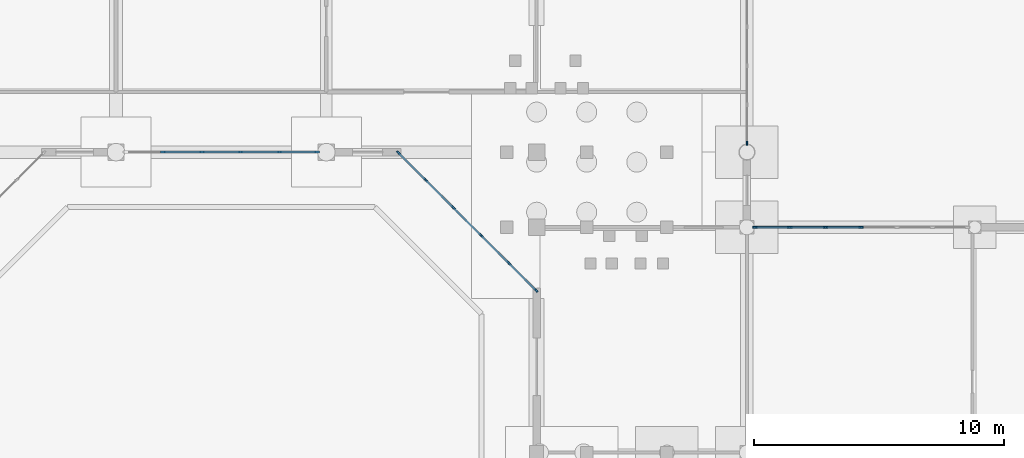
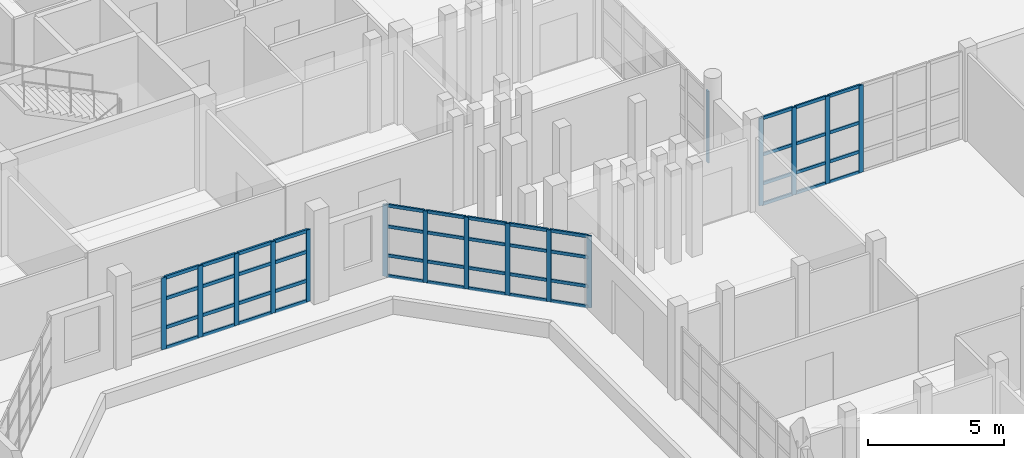
# One storey, part 33 of 88: 64 members, 4 elements without a shape of their own.
"""IFC4 building model written with IfcOpenShell, lengths in metres."""

from ifc_helpers import new_model, si_unit, direction, frame, origin, origin_2d, place, context, subcontext, project, spatial, rectangle, extrude, material, material_profile, profile_set, type_object, element, aggregate, save


model = new_model("IFC4")

# Units and contexts
model_context = context("Model", 3, precision=1e-05, world=origin(), true_north=direction((0.0, 1.0)))
body_context = subcontext(model_context, "Body", "Model", "MODEL_VIEW")
ifc_project = project(units=[si_unit("LENGTHUNIT", "METRE"), si_unit("AREAUNIT", "SQUARE_METRE"), si_unit("VOLUMEUNIT", "CUBIC_METRE"), si_unit("PLANEANGLEUNIT", "RADIAN"), si_unit("MASSUNIT", "GRAM", prefix="KILO")], contexts=[model_context])

# Site, building, storey
site_placement = place(None, origin())
site = spatial("IfcSite", under=ifc_project, at=site_placement, CompositionType="ELEMENT")
building_placement = place(site_placement, origin())
building = spatial("IfcBuilding", under=site, at=building_placement, Name="Vanh Quang Courtyard School", CompositionType="ELEMENT")
storey_placement = place(building_placement, origin())
storey = spatial("IfcBuildingStorey", under=building, at=storey_placement, Name="L00", CompositionType="ELEMENT", Elevation=0.0)

# Curtain wall, member
ifc_material_1 = material(Name="Thermally broken aluminium unitised curtain wall", Category="aluminium")
curtain_wall_type_1 = type_object("IfcCurtainWallType", Name="CW-SYS-01", PredefinedType="NOTDEFINED", material=ifc_material_1)
curtain_wall_1_placement = place(storey_placement, origin())
curtain_wall_1 = element("IfcCurtainWall", 1, at=curtain_wall_1_placement, inside=storey, type_object=curtain_wall_type_1, Name="Curtain Wall CW-01 (L00)", PredefinedType="NOTDEFINED")
ifc_material_2 = material(Name="Anodised aluminium 6063-T6", Category="aluminium")
ifc_material_profile_1 = material_profile(ifc_material_2, rectangle(XDim=0.06005859375, YDim=0.159912109375, at=origin_2d()), Name="ALU-MUL 60x160")
ifc_profile_set_1 = profile_set([ifc_material_profile_1], Name="Anodised aluminium 6063-T6")
member_type_1 = type_object("IfcMemberType", Name="CW-MUL-60x160", PredefinedType="MULLION", material=ifc_profile_set_1)
member_1_placement = place(storey_placement, frame((119.39990234375, 71.762939453125, 0.0), z_axis=(0.0, 0.0, 1.0), x_axis=(1.0, 0.0, 0.0)))
member_1 = element("IfcMember", 2, at=member_1_placement, type_object=member_type_1, Name="CW-01 mullion 6", PredefinedType="MULLION", context=body_context, shape_type="SweptSolid", body=[
    extrude(rectangle(XDim=0.06005859375, YDim=0.159912109375, at=origin_2d()), origin(), (0.0, 0.0, 1.0), 3.219970703125),
])
aggregate(curtain_wall_1, [member_1])

# Curtain wall, members
curtain_wall_type_2 = type_object("IfcCurtainWallType", Name="CW-SYS-03", PredefinedType="NOTDEFINED", material=ifc_material_1)
curtain_wall_2_placement = place(storey_placement, origin())
curtain_wall_2 = element("IfcCurtainWall", 3, at=curtain_wall_2_placement, inside=storey, type_object=curtain_wall_type_2, Name="Curtain Wall CW-03 (L00)", PredefinedType="NOTDEFINED")
ifc_material_profile_2 = material_profile(ifc_material_2, rectangle(XDim=0.070068359375, YDim=0.179931640625, at=origin_2d()), Name="ALU-MUL 70x180")
ifc_profile_set_2 = profile_set([ifc_material_profile_2], Name="Anodised aluminium 6063-T6")
member_type_2 = type_object("IfcMemberType", Name="CW-MUL-70x180", PredefinedType="MULLION", material=ifc_profile_set_2)
member_2_placement = place(storey_placement, frame((119.718017578125, 68.39990234375, 0.0), z_axis=(0.0, 0.0, 1.0), x_axis=(0.0, 1.0, 0.0)))
member_2 = element("IfcMember", 4, at=member_2_placement, type_object=member_type_2, Name="CW-03 mullion 1", PredefinedType="MULLION", context=body_context, shape_type="SweptSolid", body=[
    extrude(rectangle(XDim=0.070068359375, YDim=0.179931640625, at=origin_2d()), origin(), (0.0, 0.0, 1.0), 3.919921875),
])
member_3_placement = place(storey_placement, frame((121.109619140625, 68.39990234375, 0.0), z_axis=(0.0, 0.0, 1.0), x_axis=(0.0, 1.0, 0.0)))
member_3 = element("IfcMember", 5, at=member_3_placement, type_object=member_type_2, Name="CW-03 mullion 2", PredefinedType="MULLION", context=body_context, shape_type="SweptSolid", body=[
    extrude(rectangle(XDim=0.070068359375, YDim=0.179931640625, at=origin_2d()), origin(), (0.0, 0.0, 1.0), 3.919921875),
])
member_4_placement = place(storey_placement, frame((122.535888671875, 68.39990234375, 0.0), z_axis=(0.0, 0.0, 1.0), x_axis=(0.0, 1.0, 0.0)))
member_4 = element("IfcMember", 6, at=member_4_placement, type_object=member_type_2, Name="CW-03 mullion 3", PredefinedType="MULLION", context=body_context, shape_type="SweptSolid", body=[
    extrude(rectangle(XDim=0.070068359375, YDim=0.179931640625, at=origin_2d()), origin(), (0.0, 0.0, 1.0), 3.919921875),
])
member_5_placement = place(storey_placement, frame((123.96240234375, 68.39990234375, 0.0), z_axis=(0.0, 0.0, 1.0), x_axis=(0.0, 1.0, 0.0)))
member_5 = element("IfcMember", 7, at=member_5_placement, type_object=member_type_2, Name="CW-03 mullion 4", PredefinedType="MULLION", context=body_context, shape_type="SweptSolid", body=[
    extrude(rectangle(XDim=0.070068359375, YDim=0.179931640625, at=origin_2d()), origin(), (0.0, 0.0, 1.0), 3.919921875),
])

curtain_wall_3_placement = place(storey_placement, origin())
curtain_wall_3 = element("IfcCurtainWall", 8, at=curtain_wall_3_placement, inside=storey, type_object=curtain_wall_type_1, Name="Curtain Wall CW-01 (L00)", PredefinedType="NOTDEFINED")
member_6_placement = place(storey_placement, frame((110.975341796875, 65.880859375, 0.0), z_axis=(0.0, 0.0, 1.0), x_axis=(-0.707106781187, -0.707106781187, 0.0)))
member_6 = element("IfcMember", 9, at=member_6_placement, type_object=member_type_2, Name="CW-01 mullion 1", PredefinedType="MULLION", context=body_context, shape_type="SweptSolid", body=[
    extrude(rectangle(XDim=0.070068359375, YDim=0.179931640625, at=origin_2d()), origin(), (0.0, 0.0, 1.0), 3.219970703125),
])
member_7_placement = place(storey_placement, frame((109.89111328125, 66.96484375, 0.0), z_axis=(0.0, 0.0, 1.0), x_axis=(-0.707106781187, -0.707106781187, 0.0)))
member_7 = element("IfcMember", 10, at=member_7_placement, type_object=member_type_2, Name="CW-01 mullion 2", PredefinedType="MULLION", context=body_context, shape_type="SweptSolid", body=[
    extrude(rectangle(XDim=0.070068359375, YDim=0.179931640625, at=origin_2d()), origin(), (0.0, 0.0, 1.0), 3.219970703125),
])
member_8_placement = place(storey_placement, frame((108.782470703125, 68.073486328125, 0.0), z_axis=(0.0, 0.0, 1.0), x_axis=(-0.707106781187, -0.707106781187, 0.0)))
member_8 = element("IfcMember", 11, at=member_8_placement, type_object=member_type_2, Name="CW-01 mullion 3", PredefinedType="MULLION", context=body_context, shape_type="SweptSolid", body=[
    extrude(rectangle(XDim=0.070068359375, YDim=0.179931640625, at=origin_2d()), origin(), (0.0, 0.0, 1.0), 3.219970703125),
])
member_9_placement = place(storey_placement, frame((107.673583984375, 69.182373046875, 0.0), z_axis=(0.0, 0.0, 1.0), x_axis=(-0.707106781187, -0.707106781187, 0.0)))
member_9 = element("IfcMember", 12, at=member_9_placement, type_object=member_type_2, Name="CW-01 mullion 4", PredefinedType="MULLION", context=body_context, shape_type="SweptSolid", body=[
    extrude(rectangle(XDim=0.070068359375, YDim=0.179931640625, at=origin_2d()), origin(), (0.0, 0.0, 1.0), 3.219970703125),
])
member_10_placement = place(storey_placement, frame((106.564697265625, 70.291259765625, 0.0), z_axis=(0.0, 0.0, 1.0), x_axis=(-0.707106781187, -0.707106781187, 0.0)))
member_10 = element("IfcMember", 13, at=member_10_placement, type_object=member_type_2, Name="CW-01 mullion 5", PredefinedType="MULLION", context=body_context, shape_type="SweptSolid", body=[
    extrude(rectangle(XDim=0.070068359375, YDim=0.179931640625, at=origin_2d()), origin(), (0.0, 0.0, 1.0), 3.219970703125),
])
member_11_placement = place(storey_placement, frame((105.480712890625, 71.375244140625, 0.0), z_axis=(0.0, 0.0, 1.0), x_axis=(-0.707106781187, -0.707106781187, 0.0)))
member_11 = element("IfcMember", 14, at=member_11_placement, type_object=member_type_2, Name="CW-01 mullion 6", PredefinedType="MULLION", context=body_context, shape_type="SweptSolid", body=[
    extrude(rectangle(XDim=0.070068359375, YDim=0.179931640625, at=origin_2d()), origin(), (0.0, 0.0, 1.0), 3.219970703125),
])

curtain_wall_type_3 = type_object("IfcCurtainWallType", Name="CW-SYS-02", PredefinedType="NOTDEFINED", material=ifc_material_1)
curtain_wall_4_placement = place(storey_placement, origin())
curtain_wall_4 = element("IfcCurtainWall", 15, at=curtain_wall_4_placement, inside=storey, type_object=curtain_wall_type_3, Name="Curtain Wall CW-02 (L00)", PredefinedType="NOTDEFINED")
ifc_material_profile_3 = material_profile(ifc_material_2, rectangle(XDim=0.080078125, YDim=0.199951171875, at=origin_2d()), Name="ALU-MUL 80x200")
ifc_profile_set_3 = profile_set([ifc_material_profile_3], Name="Anodised aluminium 6063-T6")
member_type_3 = type_object("IfcMemberType", Name="CW-MUL-80x200", PredefinedType="MULLION", material=ifc_profile_set_3)
member_12_placement = place(storey_placement, frame((102.22705078125, 71.39990234375, 0.0), z_axis=(0.0, 0.0, 1.0), x_axis=(0.0, -1.0, 0.0)))
member_12 = element("IfcMember", 16, at=member_12_placement, type_object=member_type_3, Name="CW-02 mullion 1", PredefinedType="MULLION", context=body_context, shape_type="SweptSolid", body=[
    extrude(rectangle(XDim=0.080078125, YDim=0.199951171875, at=origin_2d()), origin(), (0.0, 0.0, 1.0), 3.219970703125),
])
member_13_placement = place(storey_placement, frame((100.72021484375, 71.39990234375, 0.0), z_axis=(0.0, 0.0, 1.0), x_axis=(0.0, -1.0, 0.0)))
member_13 = element("IfcMember", 17, at=member_13_placement, type_object=member_type_3, Name="CW-02 mullion 2", PredefinedType="MULLION", context=body_context, shape_type="SweptSolid", body=[
    extrude(rectangle(XDim=0.080078125, YDim=0.199951171875, at=origin_2d()), origin(), (0.0, 0.0, 1.0), 3.219970703125),
])
member_14_placement = place(storey_placement, frame((99.17333984375, 71.39990234375, 0.0), z_axis=(0.0, 0.0, 1.0), x_axis=(0.0, -1.0, 0.0)))
member_14 = element("IfcMember", 18, at=member_14_placement, type_object=member_type_3, Name="CW-02 mullion 3", PredefinedType="MULLION", context=body_context, shape_type="SweptSolid", body=[
    extrude(rectangle(XDim=0.080078125, YDim=0.199951171875, at=origin_2d()), origin(), (0.0, 0.0, 1.0), 3.219970703125),
])
member_15_placement = place(storey_placement, frame((97.626708984375, 71.39990234375, 0.0), z_axis=(0.0, 0.0, 1.0), x_axis=(0.0, -1.0, 0.0)))
member_15 = element("IfcMember", 19, at=member_15_placement, type_object=member_type_3, Name="CW-02 mullion 4", PredefinedType="MULLION", context=body_context, shape_type="SweptSolid", body=[
    extrude(rectangle(XDim=0.080078125, YDim=0.199951171875, at=origin_2d()), origin(), (0.0, 0.0, 1.0), 3.219970703125),
])
member_16_placement = place(storey_placement, frame((96.079833984375, 71.39990234375, 0.0), z_axis=(0.0, 0.0, 1.0), x_axis=(0.0, -1.0, 0.0)))
member_16 = element("IfcMember", 20, at=member_16_placement, type_object=member_type_3, Name="CW-02 mullion 5", PredefinedType="MULLION", context=body_context, shape_type="SweptSolid", body=[
    extrude(rectangle(XDim=0.080078125, YDim=0.199951171875, at=origin_2d()), origin(), (0.0, 0.0, 1.0), 3.219970703125),
])

# Member
ifc_material_profile_4 = material_profile(ifc_material_2, rectangle(XDim=0.070068359375, YDim=0.139892578125, at=origin_2d()), Name="ALU-TRN 70x140")
ifc_profile_set_4 = profile_set([ifc_material_profile_4], Name="Anodised aluminium 6063-T6")
member_type_4 = type_object("IfcMemberType", Name="CW-TRN-70x140", PredefinedType="USERDEFINED", material=ifc_profile_set_4)
member_17_placement = place(storey_placement, frame((119.7529296875, 68.39990234375, 0.034912109375), z_axis=(1.0, 0.0, 0.0), x_axis=(0.0, 1.0, 0.0)))
member_17 = element("IfcMember", 21, at=member_17_placement, type_object=member_type_4, Name="CW-03 transom 1.1", ObjectType="TRANSOM", PredefinedType="USERDEFINED", context=body_context, shape_type="SweptSolid", body=[
    extrude(rectangle(XDim=0.070068359375, YDim=0.139892578125, at=origin_2d()), origin(), (0.0, 0.0, 1.0), 1.321533203125),
])

member_18_placement = place(storey_placement, frame((119.7529296875, 68.39990234375, 0.949951171875), z_axis=(1.0, 0.0, 0.0), x_axis=(0.0, 1.0, 0.0)))
member_18 = element("IfcMember", 22, at=member_18_placement, type_object=member_type_4, Name="CW-03 transom 1.2", ObjectType="TRANSOM", PredefinedType="USERDEFINED", context=body_context, shape_type="SweptSolid", body=[
    extrude(rectangle(XDim=0.070068359375, YDim=0.139892578125, at=origin_2d()), origin(), (0.0, 0.0, 1.0), 1.321533203125),
])

member_19_placement = place(storey_placement, frame((119.7529296875, 68.39990234375, 2.25), z_axis=(1.0, 0.0, 0.0), x_axis=(0.0, 1.0, 0.0)))
member_19 = element("IfcMember", 23, at=member_19_placement, type_object=member_type_4, Name="CW-03 transom 1.3", ObjectType="TRANSOM", PredefinedType="USERDEFINED", context=body_context, shape_type="SweptSolid", body=[
    extrude(rectangle(XDim=0.070068359375, YDim=0.139892578125, at=origin_2d()), origin(), (0.0, 0.0, 1.0), 1.321533203125),
])

member_20_placement = place(storey_placement, frame((119.7529296875, 68.39990234375, 3.885009765625), z_axis=(1.0, 0.0, 0.0), x_axis=(0.0, 1.0, 0.0)))
member_20 = element("IfcMember", 24, at=member_20_placement, type_object=member_type_4, Name="CW-03 transom 1.4", ObjectType="TRANSOM", PredefinedType="USERDEFINED", context=body_context, shape_type="SweptSolid", body=[
    extrude(rectangle(XDim=0.070068359375, YDim=0.139892578125, at=origin_2d()), origin(), (0.0, 0.0, 1.0), 1.321533203125),
])

member_21_placement = place(storey_placement, frame((121.14453125, 68.39990234375, 0.034912109375), z_axis=(1.0, 0.0, 0.0), x_axis=(0.0, 1.0, 0.0)))
member_21 = element("IfcMember", 25, at=member_21_placement, type_object=member_type_4, Name="CW-03 transom 2.1", ObjectType="TRANSOM", PredefinedType="USERDEFINED", context=body_context, shape_type="SweptSolid", body=[
    extrude(rectangle(XDim=0.070068359375, YDim=0.139892578125, at=origin_2d()), origin(), (0.0, 0.0, 1.0), 1.3564453125),
])

member_22_placement = place(storey_placement, frame((121.14453125, 68.39990234375, 0.949951171875), z_axis=(1.0, 0.0, 0.0), x_axis=(0.0, 1.0, 0.0)))
member_22 = element("IfcMember", 26, at=member_22_placement, type_object=member_type_4, Name="CW-03 transom 2.2", ObjectType="TRANSOM", PredefinedType="USERDEFINED", context=body_context, shape_type="SweptSolid", body=[
    extrude(rectangle(XDim=0.070068359375, YDim=0.139892578125, at=origin_2d()), origin(), (0.0, 0.0, 1.0), 1.3564453125),
])

member_23_placement = place(storey_placement, frame((121.14453125, 68.39990234375, 2.25), z_axis=(1.0, 0.0, 0.0), x_axis=(0.0, 1.0, 0.0)))
member_23 = element("IfcMember", 27, at=member_23_placement, type_object=member_type_4, Name="CW-03 transom 2.3", ObjectType="TRANSOM", PredefinedType="USERDEFINED", context=body_context, shape_type="SweptSolid", body=[
    extrude(rectangle(XDim=0.070068359375, YDim=0.139892578125, at=origin_2d()), origin(), (0.0, 0.0, 1.0), 1.3564453125),
])

member_24_placement = place(storey_placement, frame((121.14453125, 68.39990234375, 3.885009765625), z_axis=(1.0, 0.0, 0.0), x_axis=(0.0, 1.0, 0.0)))
member_24 = element("IfcMember", 28, at=member_24_placement, type_object=member_type_4, Name="CW-03 transom 2.4", ObjectType="TRANSOM", PredefinedType="USERDEFINED", context=body_context, shape_type="SweptSolid", body=[
    extrude(rectangle(XDim=0.070068359375, YDim=0.139892578125, at=origin_2d()), origin(), (0.0, 0.0, 1.0), 1.3564453125),
])

member_25_placement = place(storey_placement, frame((122.571044921875, 68.39990234375, 0.034912109375), z_axis=(1.0, 0.0, 0.0), x_axis=(0.0, 1.0, 0.0)))
member_25 = element("IfcMember", 29, at=member_25_placement, type_object=member_type_4, Name="CW-03 transom 3.1", ObjectType="TRANSOM", PredefinedType="USERDEFINED", context=body_context, shape_type="SweptSolid", body=[
    extrude(rectangle(XDim=0.070068359375, YDim=0.139892578125, at=origin_2d()), origin(), (0.0, 0.0, 1.0), 1.3564453125),
])

member_26_placement = place(storey_placement, frame((122.571044921875, 68.39990234375, 0.949951171875), z_axis=(1.0, 0.0, 0.0), x_axis=(0.0, 1.0, 0.0)))
member_26 = element("IfcMember", 30, at=member_26_placement, type_object=member_type_4, Name="CW-03 transom 3.2", ObjectType="TRANSOM", PredefinedType="USERDEFINED", context=body_context, shape_type="SweptSolid", body=[
    extrude(rectangle(XDim=0.070068359375, YDim=0.139892578125, at=origin_2d()), origin(), (0.0, 0.0, 1.0), 1.3564453125),
])

member_27_placement = place(storey_placement, frame((122.571044921875, 68.39990234375, 2.25), z_axis=(1.0, 0.0, 0.0), x_axis=(0.0, 1.0, 0.0)))
member_27 = element("IfcMember", 31, at=member_27_placement, type_object=member_type_4, Name="CW-03 transom 3.3", ObjectType="TRANSOM", PredefinedType="USERDEFINED", context=body_context, shape_type="SweptSolid", body=[
    extrude(rectangle(XDim=0.070068359375, YDim=0.139892578125, at=origin_2d()), origin(), (0.0, 0.0, 1.0), 1.3564453125),
])

member_28_placement = place(storey_placement, frame((122.571044921875, 68.39990234375, 3.885009765625), z_axis=(1.0, 0.0, 0.0), x_axis=(0.0, 1.0, 0.0)))
member_28 = element("IfcMember", 32, at=member_28_placement, type_object=member_type_4, Name="CW-03 transom 3.4", ObjectType="TRANSOM", PredefinedType="USERDEFINED", context=body_context, shape_type="SweptSolid", body=[
    extrude(rectangle(XDim=0.070068359375, YDim=0.139892578125, at=origin_2d()), origin(), (0.0, 0.0, 1.0), 1.3564453125),
])

aggregate(curtain_wall_2, [member_2, member_3, member_4, member_5, member_17, member_18, member_19, member_20, member_21, member_22, member_23, member_24, member_25, member_26, member_27, member_28])

member_29_placement = place(storey_placement, frame((110.950439453125, 65.905517578125, 0.034912109375), z_axis=(-0.707106781187, 0.707106781187, 0.0), x_axis=(-0.707106781187, -0.707106781187, 0.0)))
member_29 = element("IfcMember", 33, at=member_29_placement, type_object=member_type_4, Name="CW-01 transom 1.1", ObjectType="TRANSOM", PredefinedType="USERDEFINED", context=body_context, shape_type="SweptSolid", body=[
    extrude(rectangle(XDim=0.070068359375, YDim=0.139892578125, at=origin_2d()), origin(), (0.0, 0.0, 1.0), 1.462890625),
])

member_30_placement = place(storey_placement, frame((110.950439453125, 65.905517578125, 0.949951171875), z_axis=(-0.707106781187, 0.707106781187, 0.0), x_axis=(-0.707106781187, -0.707106781187, 0.0)))
member_30 = element("IfcMember", 34, at=member_30_placement, type_object=member_type_4, Name="CW-01 transom 1.2", ObjectType="TRANSOM", PredefinedType="USERDEFINED", context=body_context, shape_type="SweptSolid", body=[
    extrude(rectangle(XDim=0.070068359375, YDim=0.139892578125, at=origin_2d()), origin(), (0.0, 0.0, 1.0), 1.462890625),
])

member_31_placement = place(storey_placement, frame((110.950439453125, 65.905517578125, 2.25), z_axis=(-0.707106781187, 0.707106781187, 0.0), x_axis=(-0.707106781187, -0.707106781187, 0.0)))
member_31 = element("IfcMember", 35, at=member_31_placement, type_object=member_type_4, Name="CW-01 transom 1.3", ObjectType="TRANSOM", PredefinedType="USERDEFINED", context=body_context, shape_type="SweptSolid", body=[
    extrude(rectangle(XDim=0.070068359375, YDim=0.139892578125, at=origin_2d()), origin(), (0.0, 0.0, 1.0), 1.462890625),
])

member_32_placement = place(storey_placement, frame((110.950439453125, 65.905517578125, 3.18505859375), z_axis=(-0.707106781187, 0.707106781187, 0.0), x_axis=(-0.707106781187, -0.707106781187, 0.0)))
member_32 = element("IfcMember", 36, at=member_32_placement, type_object=member_type_4, Name="CW-01 transom 1.4", ObjectType="TRANSOM", PredefinedType="USERDEFINED", context=body_context, shape_type="SweptSolid", body=[
    extrude(rectangle(XDim=0.070068359375, YDim=0.139892578125, at=origin_2d()), origin(), (0.0, 0.0, 1.0), 1.462890625),
])

member_33_placement = place(storey_placement, frame((109.866455078125, 66.989501953125, 0.034912109375), z_axis=(-0.707106781187, 0.707106781187, 0.0), x_axis=(-0.707106781187, -0.707106781187, 0.0)))
member_33 = element("IfcMember", 37, at=member_33_placement, type_object=member_type_4, Name="CW-01 transom 2.1", ObjectType="TRANSOM", PredefinedType="USERDEFINED", context=body_context, shape_type="SweptSolid", body=[
    extrude(rectangle(XDim=0.070068359375, YDim=0.139892578125, at=origin_2d()), origin(), (0.0, 0.0, 1.0), 1.498046875),
])

member_34_placement = place(storey_placement, frame((109.866455078125, 66.989501953125, 0.949951171875), z_axis=(-0.707106781187, 0.707106781187, 0.0), x_axis=(-0.707106781187, -0.707106781187, 0.0)))
member_34 = element("IfcMember", 38, at=member_34_placement, type_object=member_type_4, Name="CW-01 transom 2.2", ObjectType="TRANSOM", PredefinedType="USERDEFINED", context=body_context, shape_type="SweptSolid", body=[
    extrude(rectangle(XDim=0.070068359375, YDim=0.139892578125, at=origin_2d()), origin(), (0.0, 0.0, 1.0), 1.498046875),
])

member_35_placement = place(storey_placement, frame((109.866455078125, 66.989501953125, 2.25), z_axis=(-0.707106781187, 0.707106781187, 0.0), x_axis=(-0.707106781187, -0.707106781187, 0.0)))
member_35 = element("IfcMember", 39, at=member_35_placement, type_object=member_type_4, Name="CW-01 transom 2.3", ObjectType="TRANSOM", PredefinedType="USERDEFINED", context=body_context, shape_type="SweptSolid", body=[
    extrude(rectangle(XDim=0.070068359375, YDim=0.139892578125, at=origin_2d()), origin(), (0.0, 0.0, 1.0), 1.498046875),
])

member_36_placement = place(storey_placement, frame((109.866455078125, 66.989501953125, 3.18505859375), z_axis=(-0.707106781187, 0.707106781187, 0.0), x_axis=(-0.707106781187, -0.707106781187, 0.0)))
member_36 = element("IfcMember", 40, at=member_36_placement, type_object=member_type_4, Name="CW-01 transom 2.4", ObjectType="TRANSOM", PredefinedType="USERDEFINED", context=body_context, shape_type="SweptSolid", body=[
    extrude(rectangle(XDim=0.070068359375, YDim=0.139892578125, at=origin_2d()), origin(), (0.0, 0.0, 1.0), 1.498046875),
])

member_37_placement = place(storey_placement, frame((108.757568359375, 68.098388671875, 0.034912109375), z_axis=(-0.707106781187, 0.707106781187, 0.0), x_axis=(-0.707106781187, -0.707106781187, 0.0)))
member_37 = element("IfcMember", 41, at=member_37_placement, type_object=member_type_4, Name="CW-01 transom 3.1", ObjectType="TRANSOM", PredefinedType="USERDEFINED", context=body_context, shape_type="SweptSolid", body=[
    extrude(rectangle(XDim=0.070068359375, YDim=0.139892578125, at=origin_2d()), origin(), (0.0, 0.0, 1.0), 1.498046875),
])

member_38_placement = place(storey_placement, frame((108.757568359375, 68.098388671875, 0.949951171875), z_axis=(-0.707106781187, 0.707106781187, 0.0), x_axis=(-0.707106781187, -0.707106781187, 0.0)))
member_38 = element("IfcMember", 42, at=member_38_placement, type_object=member_type_4, Name="CW-01 transom 3.2", ObjectType="TRANSOM", PredefinedType="USERDEFINED", context=body_context, shape_type="SweptSolid", body=[
    extrude(rectangle(XDim=0.070068359375, YDim=0.139892578125, at=origin_2d()), origin(), (0.0, 0.0, 1.0), 1.498046875),
])

member_39_placement = place(storey_placement, frame((108.757568359375, 68.098388671875, 2.25), z_axis=(-0.707106781187, 0.707106781187, 0.0), x_axis=(-0.707106781187, -0.707106781187, 0.0)))
member_39 = element("IfcMember", 43, at=member_39_placement, type_object=member_type_4, Name="CW-01 transom 3.3", ObjectType="TRANSOM", PredefinedType="USERDEFINED", context=body_context, shape_type="SweptSolid", body=[
    extrude(rectangle(XDim=0.070068359375, YDim=0.139892578125, at=origin_2d()), origin(), (0.0, 0.0, 1.0), 1.498046875),
])

member_40_placement = place(storey_placement, frame((108.757568359375, 68.098388671875, 3.18505859375), z_axis=(-0.707106781187, 0.707106781187, 0.0), x_axis=(-0.707106781187, -0.707106781187, 0.0)))
member_40 = element("IfcMember", 44, at=member_40_placement, type_object=member_type_4, Name="CW-01 transom 3.4", ObjectType="TRANSOM", PredefinedType="USERDEFINED", context=body_context, shape_type="SweptSolid", body=[
    extrude(rectangle(XDim=0.070068359375, YDim=0.139892578125, at=origin_2d()), origin(), (0.0, 0.0, 1.0), 1.498046875),
])

member_41_placement = place(storey_placement, frame((107.64892578125, 69.20703125, 0.034912109375), z_axis=(-0.707106781187, 0.707106781187, 0.0), x_axis=(-0.707106781187, -0.707106781187, 0.0)))
member_41 = element("IfcMember", 45, at=member_41_placement, type_object=member_type_4, Name="CW-01 transom 4.1", ObjectType="TRANSOM", PredefinedType="USERDEFINED", context=body_context, shape_type="SweptSolid", body=[
    extrude(rectangle(XDim=0.070068359375, YDim=0.139892578125, at=origin_2d()), origin(), (0.0, 0.0, 1.0), 1.498046875),
])

member_42_placement = place(storey_placement, frame((107.64892578125, 69.20703125, 0.949951171875), z_axis=(-0.707106781187, 0.707106781187, 0.0), x_axis=(-0.707106781187, -0.707106781187, 0.0)))
member_42 = element("IfcMember", 46, at=member_42_placement, type_object=member_type_4, Name="CW-01 transom 4.2", ObjectType="TRANSOM", PredefinedType="USERDEFINED", context=body_context, shape_type="SweptSolid", body=[
    extrude(rectangle(XDim=0.070068359375, YDim=0.139892578125, at=origin_2d()), origin(), (0.0, 0.0, 1.0), 1.498046875),
])

member_43_placement = place(storey_placement, frame((107.64892578125, 69.20703125, 2.25), z_axis=(-0.707106781187, 0.707106781187, 0.0), x_axis=(-0.707106781187, -0.707106781187, 0.0)))
member_43 = element("IfcMember", 47, at=member_43_placement, type_object=member_type_4, Name="CW-01 transom 4.3", ObjectType="TRANSOM", PredefinedType="USERDEFINED", context=body_context, shape_type="SweptSolid", body=[
    extrude(rectangle(XDim=0.070068359375, YDim=0.139892578125, at=origin_2d()), origin(), (0.0, 0.0, 1.0), 1.498046875),
])

member_44_placement = place(storey_placement, frame((107.64892578125, 69.20703125, 3.18505859375), z_axis=(-0.707106781187, 0.707106781187, 0.0), x_axis=(-0.707106781187, -0.707106781187, 0.0)))
member_44 = element("IfcMember", 48, at=member_44_placement, type_object=member_type_4, Name="CW-01 transom 4.4", ObjectType="TRANSOM", PredefinedType="USERDEFINED", context=body_context, shape_type="SweptSolid", body=[
    extrude(rectangle(XDim=0.070068359375, YDim=0.139892578125, at=origin_2d()), origin(), (0.0, 0.0, 1.0), 1.498046875),
])

member_45_placement = place(storey_placement, frame((106.5400390625, 70.31591796875, 0.034912109375), z_axis=(-0.707023341836, 0.707190210692, 0.0), x_axis=(-0.707190210692, -0.707023341836, 0.0)))
member_45 = element("IfcMember", 49, at=member_45_placement, type_object=member_type_4, Name="CW-01 transom 5.1", ObjectType="TRANSOM", PredefinedType="USERDEFINED", context=body_context, shape_type="SweptSolid", body=[
    extrude(rectangle(XDim=0.070068359375, YDim=0.139892578125, at=origin_2d()), origin(), (0.0, 0.0, 1.0), 1.463134765625),
])

member_46_placement = place(storey_placement, frame((106.5400390625, 70.31591796875, 0.949951171875), z_axis=(-0.707023341836, 0.707190210692, 0.0), x_axis=(-0.707190210692, -0.707023341836, 0.0)))
member_46 = element("IfcMember", 50, at=member_46_placement, type_object=member_type_4, Name="CW-01 transom 5.2", ObjectType="TRANSOM", PredefinedType="USERDEFINED", context=body_context, shape_type="SweptSolid", body=[
    extrude(rectangle(XDim=0.070068359375, YDim=0.139892578125, at=origin_2d()), origin(), (0.0, 0.0, 1.0), 1.463134765625),
])

member_47_placement = place(storey_placement, frame((106.5400390625, 70.31591796875, 2.25), z_axis=(-0.707023341836, 0.707190210692, 0.0), x_axis=(-0.707190210692, -0.707023341836, 0.0)))
member_47 = element("IfcMember", 51, at=member_47_placement, type_object=member_type_4, Name="CW-01 transom 5.3", ObjectType="TRANSOM", PredefinedType="USERDEFINED", context=body_context, shape_type="SweptSolid", body=[
    extrude(rectangle(XDim=0.070068359375, YDim=0.139892578125, at=origin_2d()), origin(), (0.0, 0.0, 1.0), 1.463134765625),
])

member_48_placement = place(storey_placement, frame((106.5400390625, 70.31591796875, 3.18505859375), z_axis=(-0.707023341836, 0.707190210692, 0.0), x_axis=(-0.707190210692, -0.707023341836, 0.0)))
member_48 = element("IfcMember", 52, at=member_48_placement, type_object=member_type_4, Name="CW-01 transom 5.4", ObjectType="TRANSOM", PredefinedType="USERDEFINED", context=body_context, shape_type="SweptSolid", body=[
    extrude(rectangle(XDim=0.070068359375, YDim=0.139892578125, at=origin_2d()), origin(), (0.0, 0.0, 1.0), 1.463134765625),
])

aggregate(curtain_wall_3, [member_6, member_7, member_8, member_9, member_10, member_11, member_29, member_30, member_31, member_32, member_33, member_34, member_35, member_36, member_37, member_38, member_39, member_40, member_41, member_42, member_43, member_44, member_45, member_46, member_47, member_48])

ifc_material_profile_5 = material_profile(ifc_material_2, rectangle(XDim=0.080078125, YDim=0.14990234375, at=origin_2d()), Name="ALU-TRN 80x150")
ifc_profile_set_5 = profile_set([ifc_material_profile_5], Name="Anodised aluminium 6063-T6")
member_type_5 = type_object("IfcMemberType", Name="CW-TRN-80x150", PredefinedType="USERDEFINED", material=ifc_profile_set_5)
member_49_placement = place(storey_placement, frame((102.18701171875, 71.39990234375, 0.0400390625), z_axis=(-1.0, 0.0, 0.0), x_axis=(0.0, -1.0, 0.0)))
member_49 = element("IfcMember", 53, at=member_49_placement, type_object=member_type_5, Name="CW-02 transom 1.1", ObjectType="TRANSOM", PredefinedType="USERDEFINED", context=body_context, shape_type="SweptSolid", body=[
    extrude(rectangle(XDim=0.080078125, YDim=0.14990234375, at=origin_2d()), origin(), (0.0, 0.0, 1.0), 1.4267578125),
])

member_50_placement = place(storey_placement, frame((102.18701171875, 71.39990234375, 0.949951171875), z_axis=(-1.0, 0.0, 0.0), x_axis=(0.0, -1.0, 0.0)))
member_50 = element("IfcMember", 54, at=member_50_placement, type_object=member_type_5, Name="CW-02 transom 1.2", ObjectType="TRANSOM", PredefinedType="USERDEFINED", context=body_context, shape_type="SweptSolid", body=[
    extrude(rectangle(XDim=0.080078125, YDim=0.14990234375, at=origin_2d()), origin(), (0.0, 0.0, 1.0), 1.4267578125),
])

member_51_placement = place(storey_placement, frame((102.18701171875, 71.39990234375, 2.25), z_axis=(-1.0, 0.0, 0.0), x_axis=(0.0, -1.0, 0.0)))
member_51 = element("IfcMember", 55, at=member_51_placement, type_object=member_type_5, Name="CW-02 transom 1.3", ObjectType="TRANSOM", PredefinedType="USERDEFINED", context=body_context, shape_type="SweptSolid", body=[
    extrude(rectangle(XDim=0.080078125, YDim=0.14990234375, at=origin_2d()), origin(), (0.0, 0.0, 1.0), 1.4267578125),
])

member_52_placement = place(storey_placement, frame((102.18701171875, 71.39990234375, 3.179931640625), z_axis=(-1.0, 0.0, 0.0), x_axis=(0.0, -1.0, 0.0)))
member_52 = element("IfcMember", 56, at=member_52_placement, type_object=member_type_5, Name="CW-02 transom 1.4", ObjectType="TRANSOM", PredefinedType="USERDEFINED", context=body_context, shape_type="SweptSolid", body=[
    extrude(rectangle(XDim=0.080078125, YDim=0.14990234375, at=origin_2d()), origin(), (0.0, 0.0, 1.0), 1.4267578125),
])

member_53_placement = place(storey_placement, frame((100.68017578125, 71.39990234375, 0.0400390625), z_axis=(-1.0, 0.0, 0.0), x_axis=(0.0, -1.0, 0.0)))
member_53 = element("IfcMember", 57, at=member_53_placement, type_object=member_type_5, Name="CW-02 transom 2.1", ObjectType="TRANSOM", PredefinedType="USERDEFINED", context=body_context, shape_type="SweptSolid", body=[
    extrude(rectangle(XDim=0.080078125, YDim=0.14990234375, at=origin_2d()), origin(), (0.0, 0.0, 1.0), 1.466796875),
])

member_54_placement = place(storey_placement, frame((100.68017578125, 71.39990234375, 0.949951171875), z_axis=(-1.0, 0.0, 0.0), x_axis=(0.0, -1.0, 0.0)))
member_54 = element("IfcMember", 58, at=member_54_placement, type_object=member_type_5, Name="CW-02 transom 2.2", ObjectType="TRANSOM", PredefinedType="USERDEFINED", context=body_context, shape_type="SweptSolid", body=[
    extrude(rectangle(XDim=0.080078125, YDim=0.14990234375, at=origin_2d()), origin(), (0.0, 0.0, 1.0), 1.466796875),
])

member_55_placement = place(storey_placement, frame((100.68017578125, 71.39990234375, 2.25), z_axis=(-1.0, 0.0, 0.0), x_axis=(0.0, -1.0, 0.0)))
member_55 = element("IfcMember", 59, at=member_55_placement, type_object=member_type_5, Name="CW-02 transom 2.3", ObjectType="TRANSOM", PredefinedType="USERDEFINED", context=body_context, shape_type="SweptSolid", body=[
    extrude(rectangle(XDim=0.080078125, YDim=0.14990234375, at=origin_2d()), origin(), (0.0, 0.0, 1.0), 1.466796875),
])

member_56_placement = place(storey_placement, frame((100.68017578125, 71.39990234375, 3.179931640625), z_axis=(-1.0, 0.0, 0.0), x_axis=(0.0, -1.0, 0.0)))
member_56 = element("IfcMember", 60, at=member_56_placement, type_object=member_type_5, Name="CW-02 transom 2.4", ObjectType="TRANSOM", PredefinedType="USERDEFINED", context=body_context, shape_type="SweptSolid", body=[
    extrude(rectangle(XDim=0.080078125, YDim=0.14990234375, at=origin_2d()), origin(), (0.0, 0.0, 1.0), 1.466796875),
])

member_57_placement = place(storey_placement, frame((99.13330078125, 71.39990234375, 0.0400390625), z_axis=(-1.0, 0.0, 0.0), x_axis=(0.0, -1.0, 0.0)))
member_57 = element("IfcMember", 61, at=member_57_placement, type_object=member_type_5, Name="CW-02 transom 3.1", ObjectType="TRANSOM", PredefinedType="USERDEFINED", context=body_context, shape_type="SweptSolid", body=[
    extrude(rectangle(XDim=0.080078125, YDim=0.14990234375, at=origin_2d()), origin(), (0.0, 0.0, 1.0), 1.466796875),
])

member_58_placement = place(storey_placement, frame((99.13330078125, 71.39990234375, 0.949951171875), z_axis=(-1.0, 0.0, 0.0), x_axis=(0.0, -1.0, 0.0)))
member_58 = element("IfcMember", 62, at=member_58_placement, type_object=member_type_5, Name="CW-02 transom 3.2", ObjectType="TRANSOM", PredefinedType="USERDEFINED", context=body_context, shape_type="SweptSolid", body=[
    extrude(rectangle(XDim=0.080078125, YDim=0.14990234375, at=origin_2d()), origin(), (0.0, 0.0, 1.0), 1.466796875),
])

member_59_placement = place(storey_placement, frame((99.13330078125, 71.39990234375, 2.25), z_axis=(-1.0, 0.0, 0.0), x_axis=(0.0, -1.0, 0.0)))
member_59 = element("IfcMember", 63, at=member_59_placement, type_object=member_type_5, Name="CW-02 transom 3.3", ObjectType="TRANSOM", PredefinedType="USERDEFINED", context=body_context, shape_type="SweptSolid", body=[
    extrude(rectangle(XDim=0.080078125, YDim=0.14990234375, at=origin_2d()), origin(), (0.0, 0.0, 1.0), 1.466796875),
])

member_60_placement = place(storey_placement, frame((99.13330078125, 71.39990234375, 3.179931640625), z_axis=(-1.0, 0.0, 0.0), x_axis=(0.0, -1.0, 0.0)))
member_60 = element("IfcMember", 64, at=member_60_placement, type_object=member_type_5, Name="CW-02 transom 3.4", ObjectType="TRANSOM", PredefinedType="USERDEFINED", context=body_context, shape_type="SweptSolid", body=[
    extrude(rectangle(XDim=0.080078125, YDim=0.14990234375, at=origin_2d()), origin(), (0.0, 0.0, 1.0), 1.466796875),
])

member_61_placement = place(storey_placement, frame((97.586669921875, 71.39990234375, 0.0400390625), z_axis=(-1.0, 0.0, 0.0), x_axis=(0.0, -1.0, 0.0)))
member_61 = element("IfcMember", 65, at=member_61_placement, type_object=member_type_5, Name="CW-02 transom 4.1", ObjectType="TRANSOM", PredefinedType="USERDEFINED", context=body_context, shape_type="SweptSolid", body=[
    extrude(rectangle(XDim=0.080078125, YDim=0.14990234375, at=origin_2d()), origin(), (0.0, 0.0, 1.0), 1.466796875),
])

member_62_placement = place(storey_placement, frame((97.586669921875, 71.39990234375, 0.949951171875), z_axis=(-1.0, 0.0, 0.0), x_axis=(0.0, -1.0, 0.0)))
member_62 = element("IfcMember", 66, at=member_62_placement, type_object=member_type_5, Name="CW-02 transom 4.2", ObjectType="TRANSOM", PredefinedType="USERDEFINED", context=body_context, shape_type="SweptSolid", body=[
    extrude(rectangle(XDim=0.080078125, YDim=0.14990234375, at=origin_2d()), origin(), (0.0, 0.0, 1.0), 1.466796875),
])

member_63_placement = place(storey_placement, frame((97.586669921875, 71.39990234375, 2.25), z_axis=(-1.0, 0.0, 0.0), x_axis=(0.0, -1.0, 0.0)))
member_63 = element("IfcMember", 67, at=member_63_placement, type_object=member_type_5, Name="CW-02 transom 4.3", ObjectType="TRANSOM", PredefinedType="USERDEFINED", context=body_context, shape_type="SweptSolid", body=[
    extrude(rectangle(XDim=0.080078125, YDim=0.14990234375, at=origin_2d()), origin(), (0.0, 0.0, 1.0), 1.466796875),
])

member_64_placement = place(storey_placement, frame((97.586669921875, 71.39990234375, 3.179931640625), z_axis=(-1.0, 0.0, 0.0), x_axis=(0.0, -1.0, 0.0)))
member_64 = element("IfcMember", 68, at=member_64_placement, type_object=member_type_5, Name="CW-02 transom 4.4", ObjectType="TRANSOM", PredefinedType="USERDEFINED", context=body_context, shape_type="SweptSolid", body=[
    extrude(rectangle(XDim=0.080078125, YDim=0.14990234375, at=origin_2d()), origin(), (0.0, 0.0, 1.0), 1.466796875),
])

aggregate(curtain_wall_4, [member_12, member_13, member_14, member_15, member_16, member_49, member_50, member_51, member_52, member_53, member_54, member_55, member_56, member_57, member_58, member_59, member_60, member_61, member_62, member_63, member_64])

save(model, "model.ifc")
